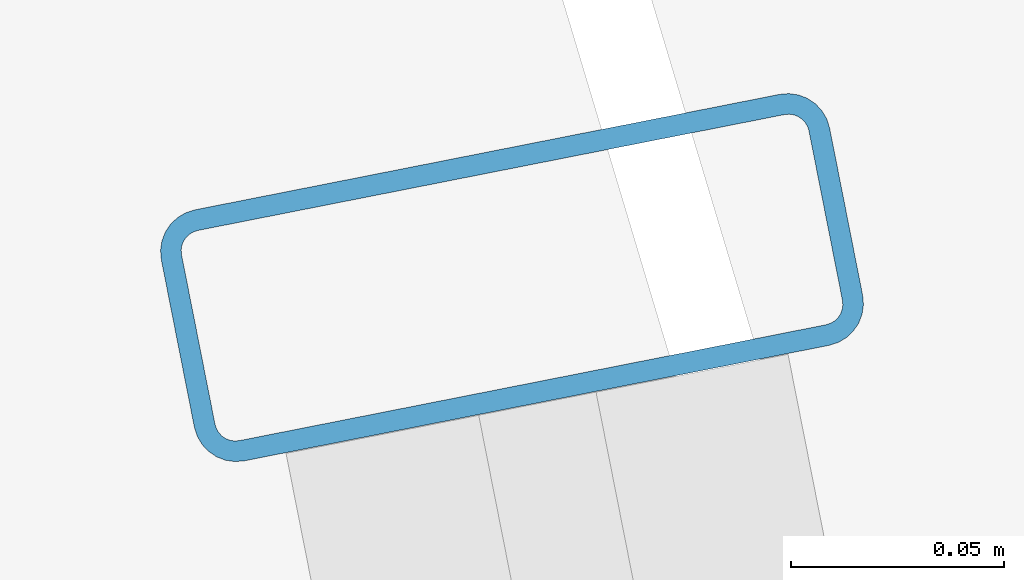
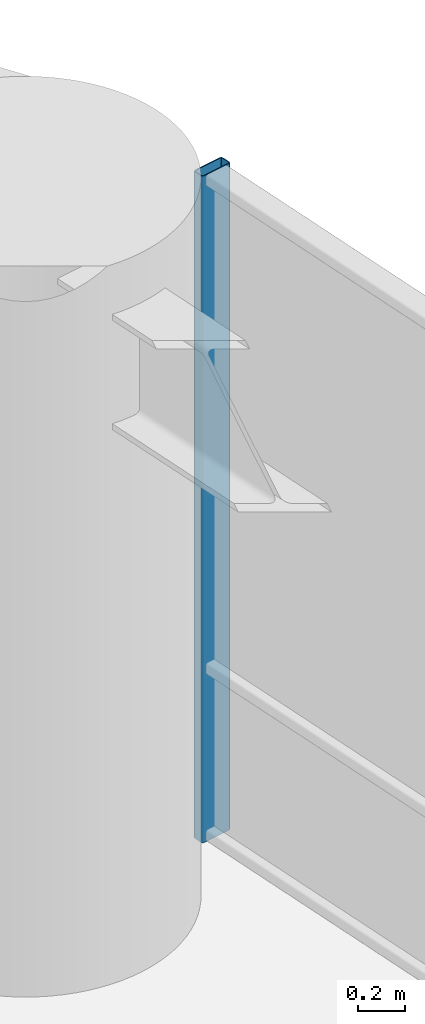
# One storey, part 20 of 32: 1 member, 1 element without a shape of its own.
"""IFC4 building model written with IfcOpenShell, lengths in metres."""

from ifc_helpers import new_model, si_unit, direction, frame, origin, origin_2d, place, context, subcontext, project, spatial, hollow_rectangle, extrude, material, layer, layer_set, material_profile, profile_set, type_object, element, aggregate, save


model = new_model("IFC4")

# Units and contexts
model_context = context("Model", 3, precision=1e-05, world=origin(), true_north=direction((0.0, 1.0)))
body_context = subcontext(model_context, "Body", "Model", "MODEL_VIEW")
ifc_project = project(units=[si_unit("LENGTHUNIT", "METRE"), si_unit("AREAUNIT", "SQUARE_METRE"), si_unit("VOLUMEUNIT", "CUBIC_METRE"), si_unit("PLANEANGLEUNIT", "RADIAN"), si_unit("MASSUNIT", "GRAM", prefix="KILO")], contexts=[model_context])

# Site, building, storey
site_placement = place(None, origin())
site = spatial("IfcSite", under=ifc_project, at=site_placement, CompositionType="ELEMENT")
building_placement = place(site_placement, origin())
building = spatial("IfcBuilding", under=site, at=building_placement, Name="Kelanora Arch Commons", CompositionType="ELEMENT")
storey_placement = place(building_placement, frame((0.0, 0.0, 60.0)))
storey = spatial("IfcBuildingStorey", under=building, at=storey_placement, Name="L15", CompositionType="ELEMENT", Elevation=60.0)

# Curtain wall, member
ifc_material_1 = material(Name="Terracotta ceramic-fritted low-E glass and aluminium", Category="masonry")
ifc_layer = layer(ifc_material_1, 0.159912109375)
ifc_layer_set = layer_set([ifc_layer], Name="Terracotta ceramic-fritted low-E glass and aluminium")
curtain_wall_type = type_object("IfcCurtainWallType", Name="CW-SYS-01", PredefinedType="NOTDEFINED", material=ifc_layer_set)
curtain_wall_placement = place(storey_placement, origin())
curtain_wall = element("IfcCurtainWall", 1, at=curtain_wall_placement, inside=storey, type_object=curtain_wall_type, Name="Unitised Curtain Wall L15-B00", PredefinedType="NOTDEFINED")
ifc_material_2 = material(Name="Powder-coated aluminium terracotta", Category="masonry")
ifc_material_profile = material_profile(ifc_material_2, hollow_rectangle(XDim=0.159912109375, YDim=0.06005859375, WallThickness=0.0048828125, InnerFilletRadius=0.0048828125, OuterFilletRadius=0.010009765625, at=origin_2d()), Name="CWM160x60")
ifc_profile_set = profile_set([ifc_material_profile], Name="Powder-coated aluminium terracotta")
member_type = type_object("IfcMemberType", Name="CWM-STD", PredefinedType="MULLION", material=ifc_profile_set)
member_placement = place(storey_placement, frame((100.371826171875, 66.243896484375, 0.0), z_axis=(0.0, 0.0, 1.0), x_axis=(-0.981052110579, -0.193744048498, 0.0)))
member = element("IfcMember", 2, at=member_placement, type_object=member_type, Name="CW-01 mullion 3", PredefinedType="MULLION", context=body_context, shape_type="SweptSolid", body=[
    extrude(hollow_rectangle(XDim=0.159912109375, YDim=0.06005859375, WallThickness=0.0048828125, InnerFilletRadius=0.0048828125, OuterFilletRadius=0.010009765625, at=origin_2d()), origin(), (0.0, 0.0, 1.0), 3.47509765625),
])
aggregate(curtain_wall, [member])

save(model, "model.ifc")
